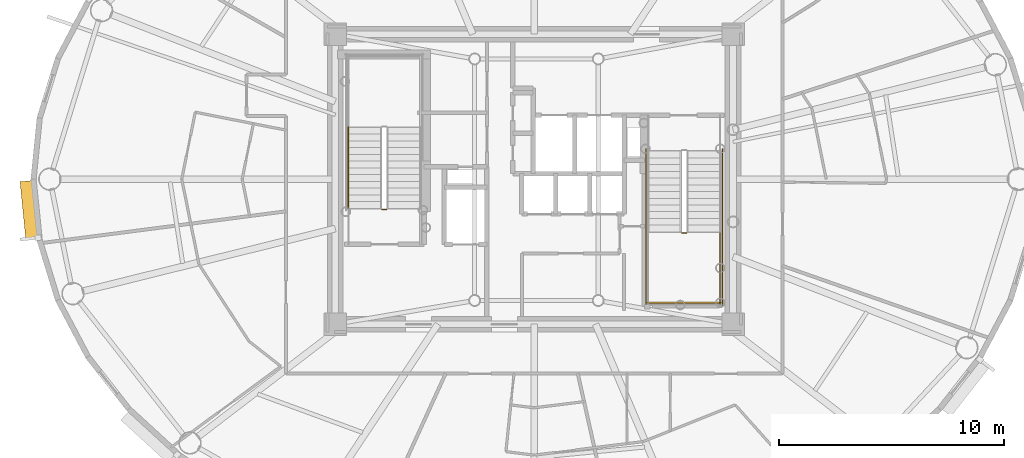
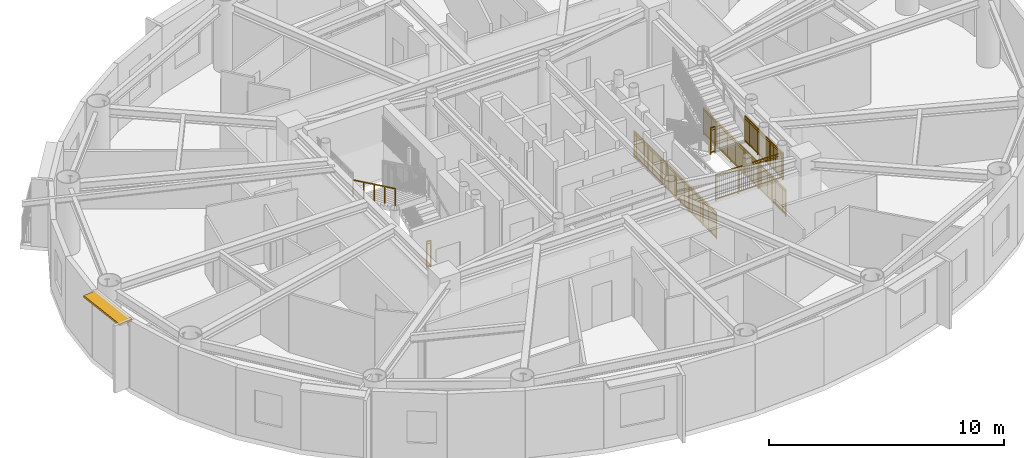
# One storey, part 12 of 17: 7 railings, 1 shading device.
"""IFC4 building model written with IfcOpenShell, lengths in metres."""

from ifc_helpers import new_model, si_unit, direction, frame, origin, origin_2d, place, context, subcontext, project, spatial, rectangle, extrude, source, transform, mapped, material, layer, layer_set, type_object, element, save


model = new_model("IFC4")

# Units and contexts
model_context = context("Model", 3, precision=1e-05, world=origin(), true_north=direction((0.0, 1.0)))
body_context = subcontext(model_context, "Body", "Model", "MODEL_VIEW")
ifc_project = project(units=[si_unit("LENGTHUNIT", "METRE"), si_unit("AREAUNIT", "SQUARE_METRE"), si_unit("VOLUMEUNIT", "CUBIC_METRE"), si_unit("PLANEANGLEUNIT", "RADIAN"), si_unit("MASSUNIT", "GRAM", prefix="KILO")], contexts=[model_context])

# Site, building, storey
site_placement = place(None, origin())
site = spatial("IfcSite", under=ifc_project, at=site_placement, CompositionType="ELEMENT")
building_placement = place(site_placement, origin())
building = spatial("IfcBuilding", under=site, at=building_placement, Name="Linh Dai School and Residence Tower", CompositionType="ELEMENT")
storey_placement = place(building_placement, frame((0.0, 0.0, 299.25)))
storey = spatial("IfcBuildingStorey", under=building, at=storey_placement, Name="L74", CompositionType="ELEMENT", Elevation=299.25)

# Shading device
ifc_material_1 = material(Name="Terracotta Ceramic Sunshade", Category="masonry")
ifc_layer = layer(ifc_material_1, 0.10009765625)
ifc_layer_set = layer_set([ifc_layer], Name="Terracotta Ceramic Sunshade")
shading_device_type = type_object("IfcShadingDeviceType", Name="SHD-TC-650", PredefinedType="USERDEFINED", material=ifc_layer_set)
shared_shape_1 = source(origin(), body_context, "Body", "SweptSolid", [
    extrude(rectangle(XDim=2.62353515625, YDim=0.64990234375, at=origin_2d()), origin(), (0.0, 0.0, 1.0), 0.10009765625),
])
shading_device_placement = place(storey_placement, frame((13.578125, 25.612060546875, 3.3798828125), z_axis=(0.0, 0.0, 1.0), x_axis=(-0.100008034283, 0.994986629598, 0.0)))
element("IfcShadingDevice", 1, at=shading_device_placement, inside=storey, type_object=shading_device_type, Name="L74 Terracotta Horizontal Sunshade Band 21", ObjectType="SUNSHADE", PredefinedType="USERDEFINED", context=body_context, shape_type="MappedRepresentation", body=[
    mapped(shared_shape_1, transform((0.0, 0.0, 0.0), x_axis=(1.0, 0.0, 0.0), y_axis=(0.0, 1.0, 0.0), z_axis=(0.0, 0.0, 1.0), scale=1.0)),
])

# Railings
ifc_material_2 = material(Name="Structural Steel S355JR", Category="steel")
railing_type_1 = type_object("IfcRailingType", Name="RL-ST-GUARD-1400", PredefinedType="GUARDRAIL", material=ifc_material_2)
shared_shape_2 = source(origin(), body_context, "Body", "SweptSolid", [
    extrude(rectangle(XDim=0.048095703125, YDim=0.048095703125, at=origin_2d()), frame((0.0, 0.0, 1.3759765625), z_axis=(-1.0, 0.0, 0.0), x_axis=(0.0, -1.0, 0.0)), (0.0, 0.0, 1.0), 0.199951171875),
    extrude(rectangle(XDim=0.048095703125, YDim=0.048095703125, at=origin_2d()), frame((0.0, 0.0, 0.10009765625), z_axis=(-1.0, 0.0, 0.0), x_axis=(0.0, -1.0, 0.0)), (0.0, 0.0, 1.0), 0.199951171875),
    extrude(rectangle(XDim=0.030029296875, YDim=0.030029296875, at=origin_2d()), frame((0.0, 0.0, 1.239990234375), z_axis=(-1.0, 0.0, 0.0), x_axis=(0.0, -1.0, 0.0)), (0.0, 0.0, 1.0), 0.199951171875),
    extrude(rectangle(XDim=0.0419921875, YDim=0.0419921875, at=origin_2d()), origin(), (0.0, 0.0, 1.0), 1.3759765625),
    extrude(rectangle(XDim=0.0419921875, YDim=0.0419921875, at=origin_2d()), frame((-0.199951171875, 0.0, 0.0)), (0.0, 0.0, 1.0), 1.3759765625),
])
railing_1_placement = place(storey_placement, frame((29.429931640625, 25.64990234375, 0.0)))
element("IfcRailing", 2, at=railing_1_placement, inside=storey, type_object=railing_type_1, Name="L74 ST1 stair guard 7", PredefinedType="GUARDRAIL", context=body_context, shape_type="MappedRepresentation", body=[
    mapped(shared_shape_2, transform((0.0, 0.0, 0.0), x_axis=(1.0, 0.0, 0.0), y_axis=(0.0, 1.0, 0.0), z_axis=(0.0, 0.0, 1.0), scale=1.0)),
])
ifc_material_3 = material(Name="Brushed Stainless Steel Handrail", Category="steel")
railing_type_2 = type_object("IfcRailingType", Name="RL-ST-HANDRAIL-900", PredefinedType="HANDRAIL", material=ifc_material_3)
shared_shape_3 = source(origin(), body_context, "Body", "SweptSolid", [
    extrude(rectangle(XDim=0.048095703125, YDim=0.048095703125, at=origin_2d()), frame((0.0, 0.0, 0.8759765625), z_axis=(0.0, -0.901262522062, 0.433273431364), x_axis=(1.0, 0.0, 0.0)), (0.0, 0.0, 1.0), 3.994384765625),
    extrude(rectangle(XDim=0.0419921875, YDim=0.0419921875, at=origin_2d()), origin(), (0.0, 0.0, 1.0), 0.8759765625),
    extrude(rectangle(XDim=0.0419921875, YDim=0.0419921875, at=origin_2d()), frame((0.0, -0.89990234375, 0.4326171875)), (0.0, 0.0, 1.0), 0.8759765625),
    extrude(rectangle(XDim=0.0419921875, YDim=0.0419921875, at=origin_2d()), frame((0.0, -1.800048828125, 0.865234375)), (0.0, 0.0, 1.0), 0.8759765625),
    extrude(rectangle(XDim=0.0419921875, YDim=0.0419921875, at=origin_2d()), frame((0.0, -2.7001953125, 1.298095703125)), (0.0, 0.0, 1.0), 0.8759765625),
    extrude(rectangle(XDim=0.0419921875, YDim=0.0419921875, at=origin_2d()), frame((0.0, -3.60009765625, 1.730712890625)), (0.0, 0.0, 1.0), 0.8759765625),
])
railing_2_placement = place(storey_placement, frame((27.72998046875, 29.300048828125, 2.019287109375)))
element("IfcRailing", 3, at=railing_2_placement, inside=storey, type_object=railing_type_2, Name="L74 ST1 stair handrail 2", PredefinedType="HANDRAIL", context=body_context, shape_type="MappedRepresentation", body=[
    mapped(shared_shape_3, transform((0.0, 0.0, 0.0), x_axis=(1.0, 0.0, 0.0), y_axis=(0.0, 1.0, 0.0), z_axis=(0.0, 0.0, 1.0), scale=1.0)),
])
shared_shape_4 = source(origin(), body_context, "Body", "SweptSolid", [
    extrude(rectangle(XDim=0.048095703125, YDim=0.048095703125, at=origin_2d()), frame((0.0, 0.0, 1.3759765625), z_axis=(1.0, 0.0, 0.0), x_axis=(0.0, 1.0, 0.0)), (0.0, 0.0, 1.0), 0.199951171875),
    extrude(rectangle(XDim=0.048095703125, YDim=0.048095703125, at=origin_2d()), frame((0.0, 0.0, 0.10009765625), z_axis=(1.0, 0.0, 0.0), x_axis=(0.0, 1.0, 0.0)), (0.0, 0.0, 1.0), 0.199951171875),
    extrude(rectangle(XDim=0.030029296875, YDim=0.030029296875, at=origin_2d()), frame((0.0, 0.0, 1.239990234375), z_axis=(1.0, 0.0, 0.0), x_axis=(0.0, 1.0, 0.0)), (0.0, 0.0, 1.0), 0.199951171875),
    extrude(rectangle(XDim=0.0419921875, YDim=0.0419921875, at=origin_2d()), origin(), (0.0, 0.0, 1.0), 1.3759765625),
    extrude(rectangle(XDim=0.0419921875, YDim=0.0419921875, at=origin_2d()), frame((0.199951171875, 0.0, 0.0)), (0.0, 0.0, 1.0), 1.3759765625),
])
railing_3_placement = place(storey_placement, frame((42.570068359375, 24.60009765625, 1.875)))
element("IfcRailing", 4, at=railing_3_placement, inside=storey, type_object=railing_type_1, Name="L74 ST2 stair guard 2", PredefinedType="GUARDRAIL", context=body_context, shape_type="MappedRepresentation", body=[
    mapped(shared_shape_4, transform((0.0, 0.0, 0.0), x_axis=(1.0, 0.0, 0.0), y_axis=(0.0, 1.0, 0.0), z_axis=(0.0, 0.0, 1.0), scale=1.0)),
])
shared_shape_5 = source(origin(), body_context, "Body", "SweptSolid", [
    extrude(rectangle(XDim=0.048095703125, YDim=0.048095703125, at=origin_2d()), frame((0.0, 0.0, 1.3759765625), z_axis=(1.0, 0.0, 0.0), x_axis=(0.0, 1.0, 0.0)), (0.0, 0.0, 1.0), 3.300048828125),
    extrude(rectangle(XDim=0.048095703125, YDim=0.048095703125, at=origin_2d()), frame((0.0, 0.0, 0.10009765625), z_axis=(1.0, 0.0, 0.0), x_axis=(0.0, 1.0, 0.0)), (0.0, 0.0, 1.0), 3.300048828125),
    extrude(rectangle(XDim=0.030029296875, YDim=0.030029296875, at=origin_2d()), frame((0.0, 0.0, 1.239990234375), z_axis=(1.0, 0.0, 0.0), x_axis=(0.0, 1.0, 0.0)), (0.0, 0.0, 1.0), 3.300048828125),
    extrude(rectangle(XDim=0.02001953125, YDim=0.02001953125, at=origin_2d()), frame((0.09716796875, 0.0, 0.10009765625)), (0.0, 0.0, 1.0), 1.251708984375),
    extrude(rectangle(XDim=0.02001953125, YDim=0.02001953125, at=origin_2d()), frame((0.194091796875, 0.0, 0.10009765625)), (0.0, 0.0, 1.0), 1.251708984375),
    extrude(rectangle(XDim=0.02001953125, YDim=0.02001953125, at=origin_2d()), frame((0.291259765625, 0.0, 0.10009765625)), (0.0, 0.0, 1.0), 1.251708984375),
    extrude(rectangle(XDim=0.02001953125, YDim=0.02001953125, at=origin_2d()), frame((0.38818359375, 0.0, 0.10009765625)), (0.0, 0.0, 1.0), 1.251708984375),
    extrude(rectangle(XDim=0.02001953125, YDim=0.02001953125, at=origin_2d()), frame((0.4853515625, 0.0, 0.10009765625)), (0.0, 0.0, 1.0), 1.251708984375),
    extrude(rectangle(XDim=0.02001953125, YDim=0.02001953125, at=origin_2d()), frame((0.582275390625, 0.0, 0.10009765625)), (0.0, 0.0, 1.0), 1.251708984375),
    extrude(rectangle(XDim=0.02001953125, YDim=0.02001953125, at=origin_2d()), frame((0.679443359375, 0.0, 0.10009765625)), (0.0, 0.0, 1.0), 1.251708984375),
    extrude(rectangle(XDim=0.02001953125, YDim=0.02001953125, at=origin_2d()), frame((0.7763671875, 0.0, 0.10009765625)), (0.0, 0.0, 1.0), 1.251708984375),
    extrude(rectangle(XDim=0.02001953125, YDim=0.02001953125, at=origin_2d()), frame((0.87353515625, 0.0, 0.10009765625)), (0.0, 0.0, 1.0), 1.251708984375),
    extrude(rectangle(XDim=0.02001953125, YDim=0.02001953125, at=origin_2d()), frame((0.970703125, 0.0, 0.10009765625)), (0.0, 0.0, 1.0), 1.251708984375),
    extrude(rectangle(XDim=0.02001953125, YDim=0.02001953125, at=origin_2d()), frame((1.164794921875, 0.0, 0.10009765625)), (0.0, 0.0, 1.0), 1.251708984375),
    extrude(rectangle(XDim=0.02001953125, YDim=0.02001953125, at=origin_2d()), frame((1.26171875, 0.0, 0.10009765625)), (0.0, 0.0, 1.0), 1.251708984375),
    extrude(rectangle(XDim=0.02001953125, YDim=0.02001953125, at=origin_2d()), frame((1.35888671875, 0.0, 0.10009765625)), (0.0, 0.0, 1.0), 1.251708984375),
    extrude(rectangle(XDim=0.02001953125, YDim=0.02001953125, at=origin_2d()), frame((1.455810546875, 0.0, 0.10009765625)), (0.0, 0.0, 1.0), 1.251708984375),
    extrude(rectangle(XDim=0.02001953125, YDim=0.02001953125, at=origin_2d()), frame((1.552978515625, 0.0, 0.10009765625)), (0.0, 0.0, 1.0), 1.251708984375),
    extrude(rectangle(XDim=0.02001953125, YDim=0.02001953125, at=origin_2d()), frame((1.64990234375, 0.0, 0.10009765625)), (0.0, 0.0, 1.0), 1.251708984375),
    extrude(rectangle(XDim=0.02001953125, YDim=0.02001953125, at=origin_2d()), frame((1.7470703125, 0.0, 0.10009765625)), (0.0, 0.0, 1.0), 1.251708984375),
    extrude(rectangle(XDim=0.02001953125, YDim=0.02001953125, at=origin_2d()), frame((1.84423828125, 0.0, 0.10009765625)), (0.0, 0.0, 1.0), 1.251708984375),
    extrude(rectangle(XDim=0.02001953125, YDim=0.02001953125, at=origin_2d()), frame((1.941162109375, 0.0, 0.10009765625)), (0.0, 0.0, 1.0), 1.251708984375),
    extrude(rectangle(XDim=0.02001953125, YDim=0.02001953125, at=origin_2d()), frame((2.038330078125, 0.0, 0.10009765625)), (0.0, 0.0, 1.0), 1.251708984375),
    extrude(rectangle(XDim=0.02001953125, YDim=0.02001953125, at=origin_2d()), frame((2.13525390625, 0.0, 0.10009765625)), (0.0, 0.0, 1.0), 1.251708984375),
    extrude(rectangle(XDim=0.02001953125, YDim=0.02001953125, at=origin_2d()), frame((2.329345703125, 0.0, 0.10009765625)), (0.0, 0.0, 1.0), 1.251708984375),
    extrude(rectangle(XDim=0.02001953125, YDim=0.02001953125, at=origin_2d()), frame((2.426513671875, 0.0, 0.10009765625)), (0.0, 0.0, 1.0), 1.251708984375),
    extrude(rectangle(XDim=0.02001953125, YDim=0.02001953125, at=origin_2d()), frame((2.523681640625, 0.0, 0.10009765625)), (0.0, 0.0, 1.0), 1.251708984375),
    extrude(rectangle(XDim=0.02001953125, YDim=0.02001953125, at=origin_2d()), frame((2.62060546875, 0.0, 0.10009765625)), (0.0, 0.0, 1.0), 1.251708984375),
    extrude(rectangle(XDim=0.02001953125, YDim=0.02001953125, at=origin_2d()), frame((2.7177734375, 0.0, 0.10009765625)), (0.0, 0.0, 1.0), 1.251708984375),
    extrude(rectangle(XDim=0.02001953125, YDim=0.02001953125, at=origin_2d()), frame((2.814697265625, 0.0, 0.10009765625)), (0.0, 0.0, 1.0), 1.251708984375),
    extrude(rectangle(XDim=0.02001953125, YDim=0.02001953125, at=origin_2d()), frame((2.911865234375, 0.0, 0.10009765625)), (0.0, 0.0, 1.0), 1.251708984375),
    extrude(rectangle(XDim=0.02001953125, YDim=0.02001953125, at=origin_2d()), frame((3.0087890625, 0.0, 0.10009765625)), (0.0, 0.0, 1.0), 1.251708984375),
    extrude(rectangle(XDim=0.02001953125, YDim=0.02001953125, at=origin_2d()), frame((3.10595703125, 0.0, 0.10009765625)), (0.0, 0.0, 1.0), 1.251708984375),
    extrude(rectangle(XDim=0.02001953125, YDim=0.02001953125, at=origin_2d()), frame((3.202880859375, 0.0, 0.10009765625)), (0.0, 0.0, 1.0), 1.251708984375),
    extrude(rectangle(XDim=0.0419921875, YDim=0.0419921875, at=origin_2d()), origin(), (0.0, 0.0, 1.0), 1.3759765625),
    extrude(rectangle(XDim=0.0419921875, YDim=0.0419921875, at=origin_2d()), frame((1.10009765625, 0.0, 0.0)), (0.0, 0.0, 1.0), 1.3759765625),
    extrude(rectangle(XDim=0.0419921875, YDim=0.0419921875, at=origin_2d()), frame((2.199951171875, 0.0, 0.0)), (0.0, 0.0, 1.0), 1.3759765625),
    extrude(rectangle(XDim=0.0419921875, YDim=0.0419921875, at=origin_2d()), frame((3.300048828125, 0.0, 0.0)), (0.0, 0.0, 1.0), 1.3759765625),
])
railing_4_placement = place(storey_placement, frame((41.02001953125, 21.5, 1.875)))
element("IfcRailing", 5, at=railing_4_placement, inside=storey, type_object=railing_type_1, Name="L74 ST2 stair guard 5", PredefinedType="GUARDRAIL", context=body_context, shape_type="MappedRepresentation", body=[
    mapped(shared_shape_5, transform((0.0, 0.0, 0.0), x_axis=(1.0, 0.0, 0.0), y_axis=(0.0, 1.0, 0.0), z_axis=(0.0, 0.0, 1.0), scale=1.0)),
])
shared_shape_6 = source(origin(), body_context, "Body", "SweptSolid", [
    extrude(rectangle(XDim=0.048095703125, YDim=0.048095703125, at=origin_2d()), frame((0.0, 0.0, 1.3759765625), z_axis=(0.0, -1.0, 0.0), x_axis=(1.0, 0.0, 0.0)), (0.0, 0.0, 1.0), 7.0),
    extrude(rectangle(XDim=0.048095703125, YDim=0.048095703125, at=origin_2d()), frame((0.0, 0.0, 0.10009765625), z_axis=(0.0, -1.0, 0.0), x_axis=(1.0, 0.0, 0.0)), (0.0, 0.0, 1.0), 7.0),
    extrude(rectangle(XDim=0.030029296875, YDim=0.030029296875, at=origin_2d()), frame((0.0, 0.0, 1.239990234375), z_axis=(0.0, -1.0, 0.0), x_axis=(1.0, 0.0, 0.0)), (0.0, 0.0, 1.0), 7.0),
    extrude(rectangle(XDim=0.02001953125, YDim=0.02001953125, at=origin_2d()), frame((0.0, -0.09716796875, 0.10009765625)), (0.0, 0.0, 1.0), 1.251708984375),
    extrude(rectangle(XDim=0.02001953125, YDim=0.02001953125, at=origin_2d()), frame((0.0, -0.1943359375, 0.10009765625)), (0.0, 0.0, 1.0), 1.251708984375),
    extrude(rectangle(XDim=0.02001953125, YDim=0.02001953125, at=origin_2d()), frame((0.0, -0.291748046875, 0.10009765625)), (0.0, 0.0, 1.0), 1.251708984375),
    extrude(rectangle(XDim=0.02001953125, YDim=0.02001953125, at=origin_2d()), frame((0.0, -0.388916015625, 0.10009765625)), (0.0, 0.0, 1.0), 1.251708984375),
    extrude(rectangle(XDim=0.02001953125, YDim=0.02001953125, at=origin_2d()), frame((0.0, -0.486083984375, 0.10009765625)), (0.0, 0.0, 1.0), 1.251708984375),
    extrude(rectangle(XDim=0.02001953125, YDim=0.02001953125, at=origin_2d()), frame((0.0, -0.583251953125, 0.10009765625)), (0.0, 0.0, 1.0), 1.251708984375),
    extrude(rectangle(XDim=0.02001953125, YDim=0.02001953125, at=origin_2d()), frame((0.0, -0.6806640625, 0.10009765625)), (0.0, 0.0, 1.0), 1.251708984375),
    extrude(rectangle(XDim=0.02001953125, YDim=0.02001953125, at=origin_2d()), frame((0.0, -0.77783203125, 0.10009765625)), (0.0, 0.0, 1.0), 1.251708984375),
    extrude(rectangle(XDim=0.02001953125, YDim=0.02001953125, at=origin_2d()), frame((0.0, -0.875, 0.10009765625)), (0.0, 0.0, 1.0), 1.251708984375),
    extrude(rectangle(XDim=0.02001953125, YDim=0.02001953125, at=origin_2d()), frame((0.0, -0.97216796875, 0.10009765625)), (0.0, 0.0, 1.0), 1.251708984375),
    extrude(rectangle(XDim=0.02001953125, YDim=0.02001953125, at=origin_2d()), frame((0.0, -1.0693359375, 0.10009765625)), (0.0, 0.0, 1.0), 1.251708984375),
    extrude(rectangle(XDim=0.02001953125, YDim=0.02001953125, at=origin_2d()), frame((0.0, -1.263916015625, 0.10009765625)), (0.0, 0.0, 1.0), 1.251708984375),
    extrude(rectangle(XDim=0.02001953125, YDim=0.02001953125, at=origin_2d()), frame((0.0, -1.361083984375, 0.10009765625)), (0.0, 0.0, 1.0), 1.251708984375),
    extrude(rectangle(XDim=0.02001953125, YDim=0.02001953125, at=origin_2d()), frame((0.0, -1.458251953125, 0.10009765625)), (0.0, 0.0, 1.0), 1.251708984375),
    extrude(rectangle(XDim=0.02001953125, YDim=0.02001953125, at=origin_2d()), frame((0.0, -1.5556640625, 0.10009765625)), (0.0, 0.0, 1.0), 1.251708984375),
    extrude(rectangle(XDim=0.02001953125, YDim=0.02001953125, at=origin_2d()), frame((0.0, -1.65283203125, 0.10009765625)), (0.0, 0.0, 1.0), 1.251708984375),
    extrude(rectangle(XDim=0.02001953125, YDim=0.02001953125, at=origin_2d()), frame((0.0, -1.75, 0.10009765625)), (0.0, 0.0, 1.0), 1.251708984375),
    extrude(rectangle(XDim=0.02001953125, YDim=0.02001953125, at=origin_2d()), frame((0.0, -1.84716796875, 0.10009765625)), (0.0, 0.0, 1.0), 1.251708984375),
    extrude(rectangle(XDim=0.02001953125, YDim=0.02001953125, at=origin_2d()), frame((0.0, -1.9443359375, 0.10009765625)), (0.0, 0.0, 1.0), 1.251708984375),
    extrude(rectangle(XDim=0.02001953125, YDim=0.02001953125, at=origin_2d()), frame((0.0, -2.041748046875, 0.10009765625)), (0.0, 0.0, 1.0), 1.251708984375),
    extrude(rectangle(XDim=0.02001953125, YDim=0.02001953125, at=origin_2d()), frame((0.0, -2.138916015625, 0.10009765625)), (0.0, 0.0, 1.0), 1.251708984375),
    extrude(rectangle(XDim=0.02001953125, YDim=0.02001953125, at=origin_2d()), frame((0.0, -2.236083984375, 0.10009765625)), (0.0, 0.0, 1.0), 1.251708984375),
    extrude(rectangle(XDim=0.02001953125, YDim=0.02001953125, at=origin_2d()), frame((0.0, -2.4306640625, 0.10009765625)), (0.0, 0.0, 1.0), 1.251708984375),
    extrude(rectangle(XDim=0.02001953125, YDim=0.02001953125, at=origin_2d()), frame((0.0, -2.52783203125, 0.10009765625)), (0.0, 0.0, 1.0), 1.251708984375),
    extrude(rectangle(XDim=0.02001953125, YDim=0.02001953125, at=origin_2d()), frame((0.0, -2.625, 0.10009765625)), (0.0, 0.0, 1.0), 1.251708984375),
    extrude(rectangle(XDim=0.02001953125, YDim=0.02001953125, at=origin_2d()), frame((0.0, -2.72216796875, 0.10009765625)), (0.0, 0.0, 1.0), 1.251708984375),
    extrude(rectangle(XDim=0.02001953125, YDim=0.02001953125, at=origin_2d()), frame((0.0, -2.8193359375, 0.10009765625)), (0.0, 0.0, 1.0), 1.251708984375),
    extrude(rectangle(XDim=0.02001953125, YDim=0.02001953125, at=origin_2d()), frame((0.0, -2.916748046875, 0.10009765625)), (0.0, 0.0, 1.0), 1.251708984375),
    extrude(rectangle(XDim=0.02001953125, YDim=0.02001953125, at=origin_2d()), frame((0.0, -3.013916015625, 0.10009765625)), (0.0, 0.0, 1.0), 1.251708984375),
    extrude(rectangle(XDim=0.02001953125, YDim=0.02001953125, at=origin_2d()), frame((0.0, -3.111083984375, 0.10009765625)), (0.0, 0.0, 1.0), 1.251708984375),
    extrude(rectangle(XDim=0.02001953125, YDim=0.02001953125, at=origin_2d()), frame((0.0, -3.208251953125, 0.10009765625)), (0.0, 0.0, 1.0), 1.251708984375),
    extrude(rectangle(XDim=0.02001953125, YDim=0.02001953125, at=origin_2d()), frame((0.0, -3.3056640625, 0.10009765625)), (0.0, 0.0, 1.0), 1.251708984375),
    extrude(rectangle(XDim=0.02001953125, YDim=0.02001953125, at=origin_2d()), frame((0.0, -3.40283203125, 0.10009765625)), (0.0, 0.0, 1.0), 1.251708984375),
    extrude(rectangle(XDim=0.02001953125, YDim=0.02001953125, at=origin_2d()), frame((0.0, -3.59716796875, 0.10009765625)), (0.0, 0.0, 1.0), 1.251708984375),
    extrude(rectangle(XDim=0.02001953125, YDim=0.02001953125, at=origin_2d()), frame((0.0, -3.6943359375, 0.10009765625)), (0.0, 0.0, 1.0), 1.251708984375),
    extrude(rectangle(XDim=0.02001953125, YDim=0.02001953125, at=origin_2d()), frame((0.0, -3.791748046875, 0.10009765625)), (0.0, 0.0, 1.0), 1.251708984375),
    extrude(rectangle(XDim=0.02001953125, YDim=0.02001953125, at=origin_2d()), frame((0.0, -3.888916015625, 0.10009765625)), (0.0, 0.0, 1.0), 1.251708984375),
    extrude(rectangle(XDim=0.02001953125, YDim=0.02001953125, at=origin_2d()), frame((0.0, -3.986083984375, 0.10009765625)), (0.0, 0.0, 1.0), 1.251708984375),
    extrude(rectangle(XDim=0.02001953125, YDim=0.02001953125, at=origin_2d()), frame((0.0, -4.083251953125, 0.10009765625)), (0.0, 0.0, 1.0), 1.251708984375),
    extrude(rectangle(XDim=0.02001953125, YDim=0.02001953125, at=origin_2d()), frame((0.0, -4.1806640625, 0.10009765625)), (0.0, 0.0, 1.0), 1.251708984375),
    extrude(rectangle(XDim=0.02001953125, YDim=0.02001953125, at=origin_2d()), frame((0.0, -4.27783203125, 0.10009765625)), (0.0, 0.0, 1.0), 1.251708984375),
    extrude(rectangle(XDim=0.02001953125, YDim=0.02001953125, at=origin_2d()), frame((0.0, -4.375, 0.10009765625)), (0.0, 0.0, 1.0), 1.251708984375),
    extrude(rectangle(XDim=0.02001953125, YDim=0.02001953125, at=origin_2d()), frame((0.0, -4.47216796875, 0.10009765625)), (0.0, 0.0, 1.0), 1.251708984375),
    extrude(rectangle(XDim=0.02001953125, YDim=0.02001953125, at=origin_2d()), frame((0.0, -4.5693359375, 0.10009765625)), (0.0, 0.0, 1.0), 1.251708984375),
    extrude(rectangle(XDim=0.02001953125, YDim=0.02001953125, at=origin_2d()), frame((0.0, -4.763916015625, 0.10009765625)), (0.0, 0.0, 1.0), 1.251708984375),
    extrude(rectangle(XDim=0.02001953125, YDim=0.02001953125, at=origin_2d()), frame((0.0, -4.861083984375, 0.10009765625)), (0.0, 0.0, 1.0), 1.251708984375),
    extrude(rectangle(XDim=0.02001953125, YDim=0.02001953125, at=origin_2d()), frame((0.0, -4.958251953125, 0.10009765625)), (0.0, 0.0, 1.0), 1.251708984375),
    extrude(rectangle(XDim=0.02001953125, YDim=0.02001953125, at=origin_2d()), frame((0.0, -5.0556640625, 0.10009765625)), (0.0, 0.0, 1.0), 1.251708984375),
    extrude(rectangle(XDim=0.02001953125, YDim=0.02001953125, at=origin_2d()), frame((0.0, -5.15283203125, 0.10009765625)), (0.0, 0.0, 1.0), 1.251708984375),
    extrude(rectangle(XDim=0.02001953125, YDim=0.02001953125, at=origin_2d()), frame((0.0, -5.25, 0.10009765625)), (0.0, 0.0, 1.0), 1.251708984375),
    extrude(rectangle(XDim=0.02001953125, YDim=0.02001953125, at=origin_2d()), frame((0.0, -5.34716796875, 0.10009765625)), (0.0, 0.0, 1.0), 1.251708984375),
    extrude(rectangle(XDim=0.02001953125, YDim=0.02001953125, at=origin_2d()), frame((0.0, -5.4443359375, 0.10009765625)), (0.0, 0.0, 1.0), 1.251708984375),
    extrude(rectangle(XDim=0.02001953125, YDim=0.02001953125, at=origin_2d()), frame((0.0, -5.541748046875, 0.10009765625)), (0.0, 0.0, 1.0), 1.251708984375),
    extrude(rectangle(XDim=0.02001953125, YDim=0.02001953125, at=origin_2d()), frame((0.0, -5.638916015625, 0.10009765625)), (0.0, 0.0, 1.0), 1.251708984375),
    extrude(rectangle(XDim=0.02001953125, YDim=0.02001953125, at=origin_2d()), frame((0.0, -5.736083984375, 0.10009765625)), (0.0, 0.0, 1.0), 1.251708984375),
    extrude(rectangle(XDim=0.02001953125, YDim=0.02001953125, at=origin_2d()), frame((0.0, -5.9306640625, 0.10009765625)), (0.0, 0.0, 1.0), 1.251708984375),
    extrude(rectangle(XDim=0.02001953125, YDim=0.02001953125, at=origin_2d()), frame((0.0, -6.02783203125, 0.10009765625)), (0.0, 0.0, 1.0), 1.251708984375),
    extrude(rectangle(XDim=0.02001953125, YDim=0.02001953125, at=origin_2d()), frame((0.0, -6.125, 0.10009765625)), (0.0, 0.0, 1.0), 1.251708984375),
    extrude(rectangle(XDim=0.02001953125, YDim=0.02001953125, at=origin_2d()), frame((0.0, -6.22216796875, 0.10009765625)), (0.0, 0.0, 1.0), 1.251708984375),
    extrude(rectangle(XDim=0.02001953125, YDim=0.02001953125, at=origin_2d()), frame((0.0, -6.3193359375, 0.10009765625)), (0.0, 0.0, 1.0), 1.251708984375),
    extrude(rectangle(XDim=0.02001953125, YDim=0.02001953125, at=origin_2d()), frame((0.0, -6.416748046875, 0.10009765625)), (0.0, 0.0, 1.0), 1.251708984375),
    extrude(rectangle(XDim=0.02001953125, YDim=0.02001953125, at=origin_2d()), frame((0.0, -6.513916015625, 0.10009765625)), (0.0, 0.0, 1.0), 1.251708984375),
    extrude(rectangle(XDim=0.02001953125, YDim=0.02001953125, at=origin_2d()), frame((0.0, -6.611083984375, 0.10009765625)), (0.0, 0.0, 1.0), 1.251708984375),
    extrude(rectangle(XDim=0.02001953125, YDim=0.02001953125, at=origin_2d()), frame((0.0, -6.708251953125, 0.10009765625)), (0.0, 0.0, 1.0), 1.251708984375),
    extrude(rectangle(XDim=0.02001953125, YDim=0.02001953125, at=origin_2d()), frame((0.0, -6.8056640625, 0.10009765625)), (0.0, 0.0, 1.0), 1.251708984375),
    extrude(rectangle(XDim=0.02001953125, YDim=0.02001953125, at=origin_2d()), frame((0.0, -6.90283203125, 0.10009765625)), (0.0, 0.0, 1.0), 1.251708984375),
    extrude(rectangle(XDim=0.0419921875, YDim=0.0419921875, at=origin_2d()), origin(), (0.0, 0.0, 1.0), 1.3759765625),
    extrude(rectangle(XDim=0.0419921875, YDim=0.0419921875, at=origin_2d()), frame((0.0, -1.166748046875, 0.0)), (0.0, 0.0, 1.0), 1.3759765625),
    extrude(rectangle(XDim=0.0419921875, YDim=0.0419921875, at=origin_2d()), frame((0.0, -2.333251953125, 0.0)), (0.0, 0.0, 1.0), 1.3759765625),
    extrude(rectangle(XDim=0.0419921875, YDim=0.0419921875, at=origin_2d()), frame((0.0, -3.5, 0.0)), (0.0, 0.0, 1.0), 1.3759765625),
    extrude(rectangle(XDim=0.0419921875, YDim=0.0419921875, at=origin_2d()), frame((0.0, -4.666748046875, 0.0)), (0.0, 0.0, 1.0), 1.3759765625),
    extrude(rectangle(XDim=0.0419921875, YDim=0.0419921875, at=origin_2d()), frame((0.0, -5.833251953125, 0.0)), (0.0, 0.0, 1.0), 1.3759765625),
    extrude(rectangle(XDim=0.0419921875, YDim=0.0419921875, at=origin_2d()), frame((0.0, -7.0, 0.0)), (0.0, 0.0, 1.0), 1.3759765625),
])
for number, where, name in (
    (6, (40.969970703125, 28.35009765625, 0.0), "L74 ST2 stair guard 10"),
    (7, (44.3701171875, 28.35009765625, 0.0), "L74 ST2 stair guard 11"),
):
    element("IfcRailing", number, at=place(storey_placement, frame(where)), inside=storey, type_object=railing_type_1, Name=name, PredefinedType="GUARDRAIL", context=body_context, shape_type="MappedRepresentation", body=[
        mapped(shared_shape_6, transform((0.0, 0.0, 0.0), x_axis=(1.0, 0.0, 0.0), y_axis=(0.0, 1.0, 0.0), z_axis=(0.0, 0.0, 1.0), scale=1.0)),
    ])
shared_shape_7 = source(origin(), body_context, "Body", "SweptSolid", [
    extrude(rectangle(XDim=0.048095703125, YDim=0.048095703125, at=origin_2d()), frame((0.0, 0.0, 1.3759765625), z_axis=(0.0, -1.0, 0.0), x_axis=(1.0, 0.0, 0.0)), (0.0, 0.0, 1.0), 3.199951171875),
    extrude(rectangle(XDim=0.048095703125, YDim=0.048095703125, at=origin_2d()), frame((0.0, 0.0, 0.10009765625), z_axis=(0.0, -1.0, 0.0), x_axis=(1.0, 0.0, 0.0)), (0.0, 0.0, 1.0), 3.199951171875),
    extrude(rectangle(XDim=0.030029296875, YDim=0.030029296875, at=origin_2d()), frame((0.0, 0.0, 1.239990234375), z_axis=(0.0, -1.0, 0.0), x_axis=(1.0, 0.0, 0.0)), (0.0, 0.0, 1.0), 3.199951171875),
    extrude(rectangle(XDim=0.02001953125, YDim=0.02001953125, at=origin_2d()), frame((0.0, -0.096923828125, 0.10009765625)), (0.0, 0.0, 1.0), 1.251708984375),
    extrude(rectangle(XDim=0.02001953125, YDim=0.02001953125, at=origin_2d()), frame((0.0, -0.19384765625, 0.10009765625)), (0.0, 0.0, 1.0), 1.251708984375),
    extrude(rectangle(XDim=0.02001953125, YDim=0.02001953125, at=origin_2d()), frame((0.0, -0.291015625, 0.10009765625)), (0.0, 0.0, 1.0), 1.251708984375),
    extrude(rectangle(XDim=0.02001953125, YDim=0.02001953125, at=origin_2d()), frame((0.0, -0.387939453125, 0.10009765625)), (0.0, 0.0, 1.0), 1.251708984375),
    extrude(rectangle(XDim=0.02001953125, YDim=0.02001953125, at=origin_2d()), frame((0.0, -0.48486328125, 0.10009765625)), (0.0, 0.0, 1.0), 1.251708984375),
    extrude(rectangle(XDim=0.02001953125, YDim=0.02001953125, at=origin_2d()), frame((0.0, -0.581787109375, 0.10009765625)), (0.0, 0.0, 1.0), 1.251708984375),
    extrude(rectangle(XDim=0.02001953125, YDim=0.02001953125, at=origin_2d()), frame((0.0, -0.6787109375, 0.10009765625)), (0.0, 0.0, 1.0), 1.251708984375),
    extrude(rectangle(XDim=0.02001953125, YDim=0.02001953125, at=origin_2d()), frame((0.0, -0.775634765625, 0.10009765625)), (0.0, 0.0, 1.0), 1.251708984375),
    extrude(rectangle(XDim=0.02001953125, YDim=0.02001953125, at=origin_2d()), frame((0.0, -0.872802734375, 0.10009765625)), (0.0, 0.0, 1.0), 1.251708984375),
    extrude(rectangle(XDim=0.02001953125, YDim=0.02001953125, at=origin_2d()), frame((0.0, -0.9697265625, 0.10009765625)), (0.0, 0.0, 1.0), 1.251708984375),
    extrude(rectangle(XDim=0.02001953125, YDim=0.02001953125, at=origin_2d()), frame((0.0, -1.16357421875, 0.10009765625)), (0.0, 0.0, 1.0), 1.251708984375),
    extrude(rectangle(XDim=0.02001953125, YDim=0.02001953125, at=origin_2d()), frame((0.0, -1.260498046875, 0.10009765625)), (0.0, 0.0, 1.0), 1.251708984375),
    extrude(rectangle(XDim=0.02001953125, YDim=0.02001953125, at=origin_2d()), frame((0.0, -1.357666015625, 0.10009765625)), (0.0, 0.0, 1.0), 1.251708984375),
    extrude(rectangle(XDim=0.02001953125, YDim=0.02001953125, at=origin_2d()), frame((0.0, -1.45458984375, 0.10009765625)), (0.0, 0.0, 1.0), 1.251708984375),
    extrude(rectangle(XDim=0.02001953125, YDim=0.02001953125, at=origin_2d()), frame((0.0, -1.551513671875, 0.10009765625)), (0.0, 0.0, 1.0), 1.251708984375),
    extrude(rectangle(XDim=0.02001953125, YDim=0.02001953125, at=origin_2d()), frame((0.0, -1.6484375, 0.10009765625)), (0.0, 0.0, 1.0), 1.251708984375),
    extrude(rectangle(XDim=0.02001953125, YDim=0.02001953125, at=origin_2d()), frame((0.0, -1.745361328125, 0.10009765625)), (0.0, 0.0, 1.0), 1.251708984375),
    extrude(rectangle(XDim=0.02001953125, YDim=0.02001953125, at=origin_2d()), frame((0.0, -1.84228515625, 0.10009765625)), (0.0, 0.0, 1.0), 1.251708984375),
    extrude(rectangle(XDim=0.02001953125, YDim=0.02001953125, at=origin_2d()), frame((0.0, -1.939453125, 0.10009765625)), (0.0, 0.0, 1.0), 1.251708984375),
    extrude(rectangle(XDim=0.02001953125, YDim=0.02001953125, at=origin_2d()), frame((0.0, -2.036376953125, 0.10009765625)), (0.0, 0.0, 1.0), 1.251708984375),
    extrude(rectangle(XDim=0.02001953125, YDim=0.02001953125, at=origin_2d()), frame((0.0, -2.230224609375, 0.10009765625)), (0.0, 0.0, 1.0), 1.251708984375),
    extrude(rectangle(XDim=0.02001953125, YDim=0.02001953125, at=origin_2d()), frame((0.0, -2.3271484375, 0.10009765625)), (0.0, 0.0, 1.0), 1.251708984375),
    extrude(rectangle(XDim=0.02001953125, YDim=0.02001953125, at=origin_2d()), frame((0.0, -2.42431640625, 0.10009765625)), (0.0, 0.0, 1.0), 1.251708984375),
    extrude(rectangle(XDim=0.02001953125, YDim=0.02001953125, at=origin_2d()), frame((0.0, -2.521240234375, 0.10009765625)), (0.0, 0.0, 1.0), 1.251708984375),
    extrude(rectangle(XDim=0.02001953125, YDim=0.02001953125, at=origin_2d()), frame((0.0, -2.6181640625, 0.10009765625)), (0.0, 0.0, 1.0), 1.251708984375),
    extrude(rectangle(XDim=0.02001953125, YDim=0.02001953125, at=origin_2d()), frame((0.0, -2.715087890625, 0.10009765625)), (0.0, 0.0, 1.0), 1.251708984375),
    extrude(rectangle(XDim=0.02001953125, YDim=0.02001953125, at=origin_2d()), frame((0.0, -2.81201171875, 0.10009765625)), (0.0, 0.0, 1.0), 1.251708984375),
    extrude(rectangle(XDim=0.02001953125, YDim=0.02001953125, at=origin_2d()), frame((0.0, -2.908935546875, 0.10009765625)), (0.0, 0.0, 1.0), 1.251708984375),
    extrude(rectangle(XDim=0.02001953125, YDim=0.02001953125, at=origin_2d()), frame((0.0, -3.006103515625, 0.10009765625)), (0.0, 0.0, 1.0), 1.251708984375),
    extrude(rectangle(XDim=0.02001953125, YDim=0.02001953125, at=origin_2d()), frame((0.0, -3.10302734375, 0.10009765625)), (0.0, 0.0, 1.0), 1.251708984375),
    extrude(rectangle(XDim=0.0419921875, YDim=0.0419921875, at=origin_2d()), origin(), (0.0, 0.0, 1.0), 1.3759765625),
    extrude(rectangle(XDim=0.0419921875, YDim=0.0419921875, at=origin_2d()), frame((0.0, -1.066650390625, 0.0)), (0.0, 0.0, 1.0), 1.3759765625),
    extrude(rectangle(XDim=0.0419921875, YDim=0.0419921875, at=origin_2d()), frame((0.0, -2.13330078125, 0.0)), (0.0, 0.0, 1.0), 1.3759765625),
    extrude(rectangle(XDim=0.0419921875, YDim=0.0419921875, at=origin_2d()), frame((0.0, -3.199951171875, 0.0)), (0.0, 0.0, 1.0), 1.3759765625),
])
railing_5_placement = place(storey_placement, frame((44.27001953125, 24.64990234375, 1.875)))
element("IfcRailing", 8, at=railing_5_placement, inside=storey, type_object=railing_type_1, Name="L74 ST2 stair guard 4", PredefinedType="GUARDRAIL", context=body_context, shape_type="MappedRepresentation", body=[
    mapped(shared_shape_7, transform((0.0, 0.0, 0.0), x_axis=(1.0, 0.0, 0.0), y_axis=(0.0, 1.0, 0.0), z_axis=(0.0, 0.0, 1.0), scale=1.0)),
])

save(model, "model.ifc")
